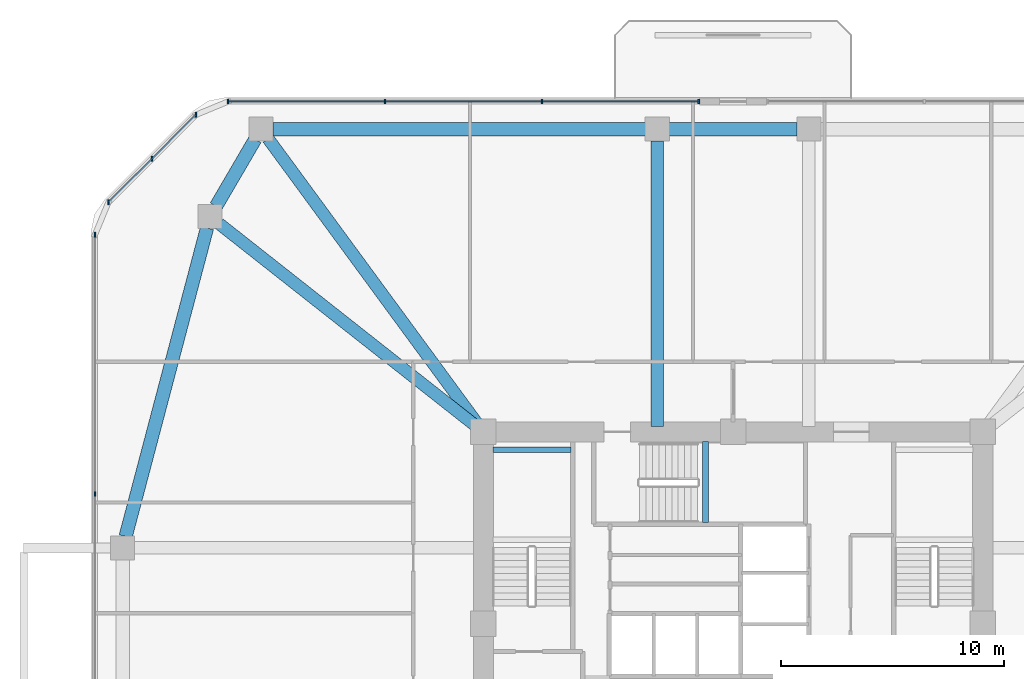
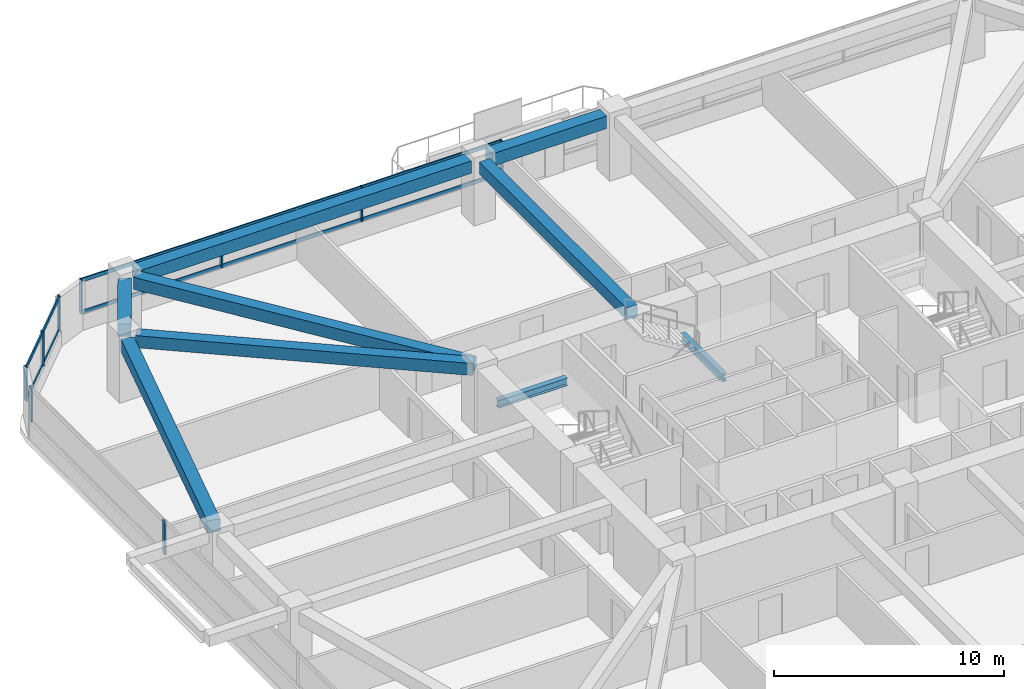
# One storey, part 6 of 14: 13 members, 9 beams, 3 elements without a shape of their own.
"""IFC4 building model written with IfcOpenShell, lengths in metres."""

from ifc_helpers import new_model, si_unit, derived_unit, direction, frame, origin, origin_2d, place, context, subcontext, project, spatial, rectangle, i_section, extrude, material, material_profile, profile_set, type_object, element, aggregate, save


model = new_model("IFC4")

# Units and contexts
model_context = context("Model", 3, precision=1e-05, world=origin(), true_north=direction((0.0, 1.0)))
body_context = subcontext(model_context, "Body", "Model", "MODEL_VIEW")
ifc_project = project(units=[si_unit("LENGTHUNIT", "METRE"), si_unit("AREAUNIT", "SQUARE_METRE"), si_unit("VOLUMEUNIT", "CUBIC_METRE"), si_unit("PLANEANGLEUNIT", "RADIAN"), si_unit("MASSUNIT", "GRAM", prefix="KILO"), derived_unit("THERMALTRANSMITTANCEUNIT", [(si_unit("POWERUNIT", "WATT"), 1), (si_unit("LENGTHUNIT", "METRE"), -2), (si_unit("THERMODYNAMICTEMPERATUREUNIT", "KELVIN"), -1)])], contexts=[model_context])

# Site, building, storey
site_placement = place(None, origin())
site = spatial("IfcSite", under=ifc_project, at=site_placement, CompositionType="ELEMENT")
building_placement = place(site_placement, origin())
building = spatial("IfcBuilding", under=site, at=building_placement, Name="Koralith Skygarden Medical Center", CompositionType="ELEMENT")
storey_placement = place(building_placement, frame((0.0, 0.0, 45.5400390625)))
storey = spatial("IfcBuildingStorey", under=building, at=storey_placement, Name="L11", CompositionType="ELEMENT", Elevation=45.5400390625)

# Curtain wall, members
ifc_material_1 = material(Name="Clear Laminated Glass", Category="glass")
curtain_wall_type = type_object("IfcCurtainWallType", Name="CW-2 Zone 1 Hurricane Unitised Curtain Wall", PredefinedType="NOTDEFINED", material=ifc_material_1)
curtain_wall_1_placement = place(storey_placement, origin())
curtain_wall_1 = element("IfcCurtainWall", 1, at=curtain_wall_1_placement, inside=storey, type_object=curtain_wall_type, Name="Curtain Wall CW-L11-N-R", PredefinedType="NOTDEFINED")
ifc_material_2 = material(Name="Aluminium 6063-T6", Category="aluminium")
ifc_material_profile_1 = material_profile(ifc_material_2, rectangle(XDim=0.071044921875, YDim=0.219970703125, at=origin_2d()), Name="MUL71X220")
ifc_profile_set_1 = profile_set([ifc_material_profile_1], Name="Aluminium 6063-T6")
member_type_1 = type_object("IfcMemberType", Name="CW-2 Extruded Mullion 71x220", PredefinedType="MULLION", material=ifc_profile_set_1)
member_1_placement = place(storey_placement, frame((35.4599609375, 49.320068359375, 0.849853515625), z_axis=(0.0, 0.0, 1.0), x_axis=(1.0, 0.0, 0.0)))
member_1 = element("IfcMember", 2, at=member_1_placement, type_object=member_type_1, Name="CW-L11-N-R Mullion 1", PredefinedType="MULLION", context=body_context, shape_type="SweptSolid", body=[
    extrude(rectangle(XDim=0.071044921875, YDim=0.219970703125, at=origin_2d()), origin(), (0.0, 0.0, 1.0), 1.800048828125),
])
member_2_placement = place(storey_placement, frame((28.425048828125, 49.320068359375, 0.849853515625), z_axis=(0.0, 0.0, 1.0), x_axis=(1.0, 0.0, 0.0)))
member_2 = element("IfcMember", 3, at=member_2_placement, type_object=member_type_1, Name="CW-L11-N-R Mullion 2", PredefinedType="MULLION", context=body_context, shape_type="SweptSolid", body=[
    extrude(rectangle(XDim=0.071044921875, YDim=0.219970703125, at=origin_2d()), origin(), (0.0, 0.0, 1.0), 1.800048828125),
])
member_3_placement = place(storey_placement, frame((21.389892578125, 49.320068359375, 0.849853515625), z_axis=(0.0, 0.0, 1.0), x_axis=(1.0, 0.0, 0.0)))
member_3 = element("IfcMember", 4, at=member_3_placement, type_object=member_type_1, Name="CW-L11-N-R Mullion 3", PredefinedType="MULLION", context=body_context, shape_type="SweptSolid", body=[
    extrude(rectangle(XDim=0.071044921875, YDim=0.219970703125, at=origin_2d()), origin(), (0.0, 0.0, 1.0), 1.800048828125),
])
member_4_placement = place(storey_placement, frame((14.35498046875, 49.320068359375, 0.849853515625), z_axis=(0.0, 0.0, 1.0), x_axis=(1.0, 0.0, 0.0)))
member_4 = element("IfcMember", 5, at=member_4_placement, type_object=member_type_1, Name="CW-L11-N-R Mullion 4", PredefinedType="MULLION", context=body_context, shape_type="SweptSolid", body=[
    extrude(rectangle(XDim=0.071044921875, YDim=0.219970703125, at=origin_2d()), origin(), (0.0, 0.0, 1.0), 1.800048828125),
])

curtain_wall_2_placement = place(storey_placement, origin())
curtain_wall_2 = element("IfcCurtainWall", 6, at=curtain_wall_2_placement, inside=storey, type_object=curtain_wall_type, Name="Curtain Wall CW-L11-NW", PredefinedType="NOTDEFINED")
member_5_placement = place(storey_placement, frame((12.904052734375, 48.718994140625, 0.849853515625), z_axis=(0.0, 0.0, 1.0), x_axis=(1.0, 0.0, 0.0)))
member_5 = element("IfcMember", 7, at=member_5_placement, type_object=member_type_1, Name="CW-L11-NW Mullion 1", PredefinedType="MULLION", context=body_context, shape_type="SweptSolid", body=[
    extrude(rectangle(XDim=0.071044921875, YDim=0.219970703125, at=origin_2d()), origin(), (0.0, 0.0, 1.0), 1.800048828125),
])
member_6_placement = place(storey_placement, frame((10.94189453125, 46.758056640625, 0.849853515625), z_axis=(0.0, 0.0, 1.0), x_axis=(1.0, 0.0, 0.0)))
member_6 = element("IfcMember", 8, at=member_6_placement, type_object=member_type_1, Name="CW-L11-NW Mullion 2", PredefinedType="MULLION", context=body_context, shape_type="SweptSolid", body=[
    extrude(rectangle(XDim=0.071044921875, YDim=0.219970703125, at=origin_2d()), origin(), (0.0, 0.0, 1.0), 1.800048828125),
])
member_7_placement = place(storey_placement, frame((8.98095703125, 44.7958984375, 0.849853515625), z_axis=(0.0, 0.0, 1.0), x_axis=(1.0, 0.0, 0.0)))
member_7 = element("IfcMember", 9, at=member_7_placement, type_object=member_type_1, Name="CW-L11-NW Mullion 3", PredefinedType="MULLION", context=body_context, shape_type="SweptSolid", body=[
    extrude(rectangle(XDim=0.071044921875, YDim=0.219970703125, at=origin_2d()), origin(), (0.0, 0.0, 1.0), 1.800048828125),
])

curtain_wall_3_placement = place(storey_placement, origin())
curtain_wall_3 = element("IfcCurtainWall", 10, at=curtain_wall_3_placement, inside=storey, type_object=curtain_wall_type, Name="Curtain Wall CW-L11-W", PredefinedType="NOTDEFINED")
member_8_placement = place(storey_placement, frame((8.3798828125, 43.344970703125, 0.849853515625), z_axis=(0.0, 0.0, 1.0), x_axis=(1.0, 0.0, 0.0)))
member_8 = element("IfcMember", 11, at=member_8_placement, type_object=member_type_1, Name="CW-L11-W Mullion 1", PredefinedType="MULLION", context=body_context, shape_type="SweptSolid", body=[
    extrude(rectangle(XDim=0.071044921875, YDim=0.219970703125, at=origin_2d()), origin(), (0.0, 0.0, 1.0), 1.800048828125),
])
member_9_placement = place(storey_placement, frame((8.3798828125, 31.715087890625, 0.849853515625), z_axis=(0.0, 0.0, 1.0), x_axis=(1.0, 0.0, 0.0)))
member_9 = element("IfcMember", 12, at=member_9_placement, type_object=member_type_1, Name="CW-L11-W Mullion 2", PredefinedType="MULLION", context=body_context, shape_type="SweptSolid", body=[
    extrude(rectangle(XDim=0.071044921875, YDim=0.219970703125, at=origin_2d()), origin(), (0.0, 0.0, 1.0), 1.800048828125),
])
aggregate(curtain_wall_3, [member_8, member_9])

# Member
ifc_material_profile_2 = material_profile(ifc_material_2, rectangle(XDim=0.06591796875, YDim=0.197998046875, at=origin_2d()), Name="TRN66X198")
ifc_profile_set_2 = profile_set([ifc_material_profile_2], Name="Aluminium 6063-T6")
member_type_2 = type_object("IfcMemberType", Name="CW-2 Thermal Transom 66x198", PredefinedType="USERDEFINED", material=ifc_profile_set_2)
member_10_placement = place(storey_placement, frame((35.4599609375, 49.320068359375, 0.89990234375), z_axis=(-1.0, 0.0, 0.0), x_axis=(0.0, -1.0, 0.0)))
member_10 = element("IfcMember", 13, at=member_10_placement, type_object=member_type_2, Name="CW-L11-N-R Transom 1", ObjectType="TRANSOM", PredefinedType="USERDEFINED", context=body_context, shape_type="SweptSolid", body=[
    extrude(rectangle(XDim=0.06591796875, YDim=0.197998046875, at=origin_2d()), origin(), (0.0, 0.0, 1.0), 21.10498046875),
])

member_11_placement = place(storey_placement, frame((35.4599609375, 49.320068359375, 2.599853515625), z_axis=(-1.0, 0.0, 0.0), x_axis=(0.0, -1.0, 0.0)))
member_11 = element("IfcMember", 14, at=member_11_placement, type_object=member_type_2, Name="CW-L11-N-R Transom 2", ObjectType="TRANSOM", PredefinedType="USERDEFINED", context=body_context, shape_type="SweptSolid", body=[
    extrude(rectangle(XDim=0.06591796875, YDim=0.197998046875, at=origin_2d()), origin(), (0.0, 0.0, 1.0), 21.10498046875),
])

aggregate(curtain_wall_1, [member_1, member_2, member_3, member_4, member_10, member_11])

member_12_placement = place(storey_placement, frame((12.904052734375, 48.718994140625, 0.89990234375), z_axis=(-0.707106781187, -0.707106781187, 0.0), x_axis=(0.707106781187, -0.707106781187, 0.0)))
member_12 = element("IfcMember", 15, at=member_12_placement, type_object=member_type_2, Name="CW-L11-NW Transom 1", ObjectType="TRANSOM", PredefinedType="USERDEFINED", context=body_context, shape_type="SweptSolid", body=[
    extrude(rectangle(XDim=0.06591796875, YDim=0.197998046875, at=origin_2d()), origin(), (0.0, 0.0, 1.0), 5.548095703125),
])

member_13_placement = place(storey_placement, frame((12.904052734375, 48.718994140625, 2.599853515625), z_axis=(-0.707106781187, -0.707106781187, 0.0), x_axis=(0.707106781187, -0.707106781187, 0.0)))
member_13 = element("IfcMember", 16, at=member_13_placement, type_object=member_type_2, Name="CW-L11-NW Transom 2", ObjectType="TRANSOM", PredefinedType="USERDEFINED", context=body_context, shape_type="SweptSolid", body=[
    extrude(rectangle(XDim=0.06591796875, YDim=0.197998046875, at=origin_2d()), origin(), (0.0, 0.0, 1.0), 5.548095703125),
])

aggregate(curtain_wall_2, [member_5, member_6, member_7, member_12, member_13])

# Beams
ifc_material_3 = material(Name="Steel ASTM A992 Grade 50", Category="steel")
ifc_material_profile_3 = material_profile(ifc_material_3, i_section(OverallWidth=0.260009765625, OverallDepth=0.4150390625, WebThickness=0.010009765625, FlangeThickness=0.016845703125, at=origin_2d()), Name="W16X67")
ifc_profile_set_3 = profile_set([ifc_material_profile_3], Name="Steel ASTM A992 Grade 50")
beam_type_1 = type_object("IfcBeamType", Name="Clinical Floor Joist W16X67", PredefinedType="JOIST", material=ifc_profile_set_3)
beam_1_placement = place(storey_placement, frame((26.22998046875, 33.699951171875, 1.391845703125), z_axis=(1.0, 0.0, 0.0), x_axis=(0.0, 1.0, 0.0)))
element("IfcBeam", 17, at=beam_1_placement, inside=storey, type_object=beam_type_1, Name="L11 Stair ST1 Half-Landing Support Beam 1B", PredefinedType="JOIST", context=body_context, shape_type="SweptSolid", body=[
    extrude(i_section(OverallWidth=0.260009765625, OverallDepth=0.4150390625, WebThickness=0.010009765625, FlangeThickness=0.016845703125, at=origin_2d()), origin(), (0.0, 0.0, 1.0), 3.489990234375),
])
beam_2_placement = place(storey_placement, frame((35.760009765625, 30.43994140625, 1.391845703125), z_axis=(0.0, 1.0, 0.0), x_axis=(-1.0, 0.0, 0.0)))
element("IfcBeam", 18, at=beam_2_placement, inside=storey, type_object=beam_type_1, Name="L11 Stair ST3 Half-Landing Support Beam 1A", PredefinedType="JOIST", context=body_context, shape_type="SweptSolid", body=[
    extrude(i_section(OverallWidth=0.260009765625, OverallDepth=0.4150390625, WebThickness=0.010009765625, FlangeThickness=0.016845703125, at=origin_2d()), origin(), (0.0, 0.0, 1.0), 3.630126953125),
])
ifc_material_4 = material(Name="Concrete C45/55", Category="concrete")
ifc_material_profile_4 = material_profile(ifc_material_4, rectangle(XDim=0.550048828125, YDim=0.639892578125, at=origin_2d()), Name="RCB550X640")
ifc_profile_set_4 = profile_set([ifc_material_profile_4], Name="Concrete C45/55")
beam_type_2 = type_object("IfcBeamType", Name="Radial Collector Beam RCB550X640", PredefinedType="BEAM", material=ifc_profile_set_4)
beam_3_placement = place(storey_placement, frame((33.60009765625, 34.75, 3.0), z_axis=(0.0, 1.0, 0.0), x_axis=(-1.0, 0.0, 0.0)))
element("IfcBeam", 19, at=beam_3_placement, inside=storey, type_object=beam_type_2, Name="L11 Radial Collector Beam RB-13", PredefinedType="BEAM", context=body_context, shape_type="SweptSolid", body=[
    extrude(rectangle(XDim=0.550048828125, YDim=0.639892578125, at=origin_2d()), origin(), (0.0, 0.0, 1.0), 12.800048828125),
])
beam_4_placement = place(storey_placement, frame((25.652099609375, 34.701904296875, 3.0), z_axis=(-0.591710803277, 0.806150311843, 0.0), x_axis=(-0.806150311843, -0.591710803277, 0.0)))
element("IfcBeam", 20, at=beam_4_placement, inside=storey, type_object=beam_type_2, Name="L11 Radial Collector Beam RB-14", PredefinedType="BEAM", context=body_context, shape_type="SweptSolid", body=[
    extrude(rectangle(XDim=0.550048828125, YDim=0.639892578125, at=origin_2d()), origin(), (0.0, 0.0, 1.0), 16.0654296875),
])
beam_5_placement = place(storey_placement, frame((25.60400390625, 34.655029296875, 3.0), z_axis=(-0.785497250365, 0.618865146594, 0.0), x_axis=(-0.618865146594, -0.785497250365, 0.0)))
element("IfcBeam", 21, at=beam_5_placement, inside=storey, type_object=beam_type_2, Name="L11 Radial Collector Beam RB-15", PredefinedType="BEAM", context=body_context, shape_type="SweptSolid", body=[
    extrude(rectangle(XDim=0.550048828125, YDim=0.639892578125, at=origin_2d()), origin(), (0.0, 0.0, 1.0), 14.828857421875),
])
ifc_material_profile_5 = material_profile(ifc_material_4, rectangle(XDim=0.60009765625, YDim=0.659912109375, at=origin_2d()), Name="RCB600X660")
ifc_profile_set_5 = profile_set([ifc_material_profile_5], Name="Concrete C45/55")
beam_type_3 = type_object("IfcBeamType", Name="Zone 1 Spandrel Beam RCB600X660", PredefinedType="SPANDREL", material=ifc_profile_set_5)
beam_6_placement = place(storey_placement, frame((39.8701171875, 48.080078125, 2.989990234375), z_axis=(-1.0, 0.0, 0.0), x_axis=(0.0, -1.0, 0.0)))
element("IfcBeam", 22, at=beam_6_placement, inside=storey, type_object=beam_type_3, Name="L11 Perimeter Spandrel Beam SP-12", PredefinedType="SPANDREL", context=body_context, shape_type="SweptSolid", body=[
    extrude(rectangle(XDim=0.60009765625, YDim=0.659912109375, at=origin_2d()), origin(), (0.0, 0.0, 1.0), 5.740234375),
])
beam_7_placement = place(storey_placement, frame((33.070068359375, 48.080078125, 2.989990234375), z_axis=(-1.0, 0.0, 0.0), x_axis=(0.0, -1.0, 0.0)))
element("IfcBeam", 23, at=beam_7_placement, inside=storey, type_object=beam_type_3, Name="L11 Perimeter Spandrel Beam SP-13", PredefinedType="SPANDREL", context=body_context, shape_type="SweptSolid", body=[
    extrude(rectangle(XDim=0.60009765625, YDim=0.659912109375, at=origin_2d()), origin(), (0.0, 0.0, 1.0), 16.7080078125),
])
beam_8_placement = place(storey_placement, frame((15.56396484375, 47.6220703125, 2.989990234375), z_axis=(-0.504608092658, -0.863348523381, 0.0), x_axis=(0.863348523381, -0.504608092658, 0.0)))
element("IfcBeam", 24, at=beam_8_placement, inside=storey, type_object=beam_type_3, Name="L11 Perimeter Spandrel Beam SP-14", PredefinedType="SPANDREL", context=body_context, shape_type="SweptSolid", body=[
    extrude(rectangle(XDim=0.60009765625, YDim=0.659912109375, at=origin_2d()), origin(), (0.0, 0.0, 1.0), 3.479736328125),
])
beam_9_placement = place(storey_placement, frame((13.405029296875, 43.64794921875, 2.989990234375), z_axis=(-0.255088684842, -0.966917660851, 0.0), x_axis=(0.966917660851, -0.255088684842, 0.0)))
element("IfcBeam", 25, at=beam_9_placement, inside=storey, type_object=beam_type_3, Name="L11 Perimeter Spandrel Beam SP-15", PredefinedType="SPANDREL", context=body_context, shape_type="SweptSolid", body=[
    extrude(rectangle(XDim=0.60009765625, YDim=0.659912109375, at=origin_2d()), origin(), (0.0, 0.0, 1.0), 14.309326171875),
])

save(model, "model.ifc")
